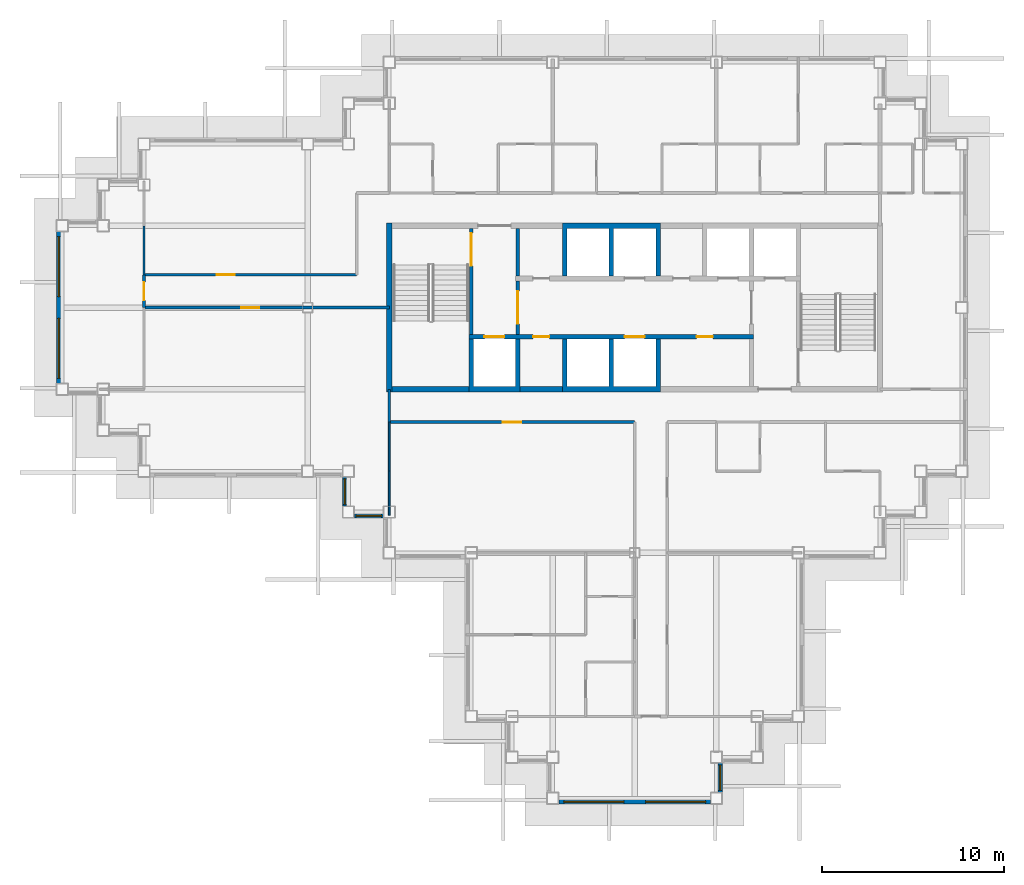
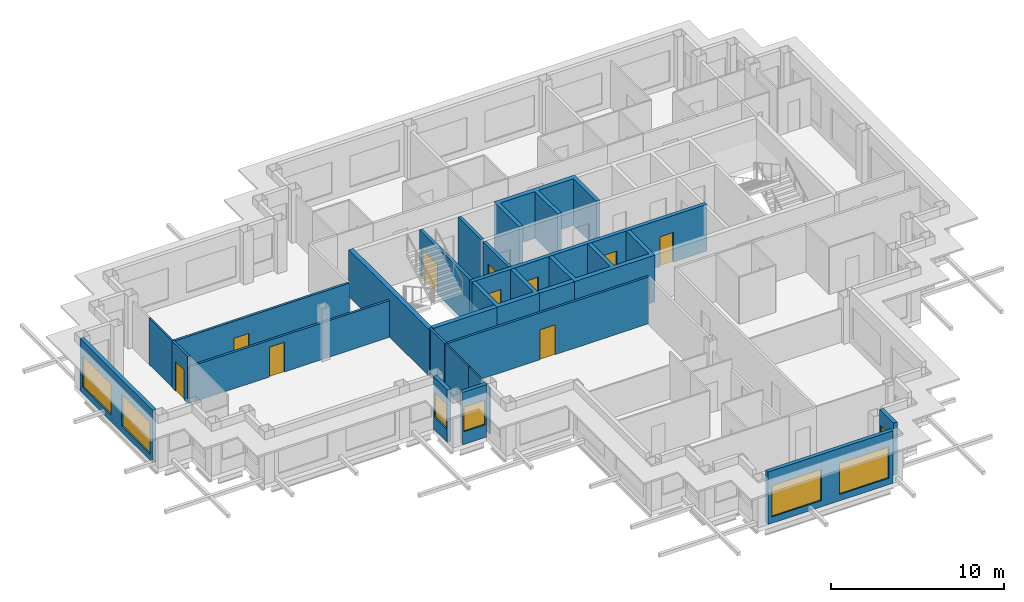
# One storey, part 3 of 11: 23 walls, 10 doors, 7 windows, 17 openings.
"""IFC4 building model written with IfcOpenShell, lengths in metres."""

from ifc_helpers import new_model, si_unit, direction, frame, frame_2d, origin, place, context, subcontext, project, spatial, polyline, rectangle, outline, extrude, material, layer, layer_set, type_object, element, fill, save


model = new_model("IFC4")

# Units and contexts
model_context = context("Model", 3, precision=1e-05, world=origin(), true_north=direction((0.0, 1.0)))
body_context = subcontext(model_context, "Body", "Model", "MODEL_VIEW")
ifc_project = project(units=[si_unit("LENGTHUNIT", "METRE"), si_unit("AREAUNIT", "SQUARE_METRE"), si_unit("VOLUMEUNIT", "CUBIC_METRE"), si_unit("PLANEANGLEUNIT", "RADIAN"), si_unit("MASSUNIT", "GRAM", prefix="KILO")], contexts=[model_context])

# Site, building, storey
site_placement = place(None, origin())
site = spatial("IfcSite", under=ifc_project, at=site_placement, CompositionType="ELEMENT")
building_placement = place(site_placement, origin())
building = spatial("IfcBuilding", under=site, at=building_placement, Name="Caravel Reach Hotel and Residences", CompositionType="ELEMENT")
storey_placement = place(building_placement, frame((0.0, 0.0, 229.39990234375)))
storey = spatial("IfcBuildingStorey", under=building, at=storey_placement, Name="L58", CompositionType="ELEMENT", Elevation=229.39990234375)

# Walls
ifc_material_1 = material(Name="Autoclaved aerated block wall")
ifc_layer_1 = layer(ifc_material_1, 0.199951171875)
ifc_layer_set_1 = layer_set([ifc_layer_1], Name="Compartment wall 200 mm EI 120")
wall_type_1 = type_object("IfcWallType", Name="Compartment wall 200 mm EI 120", PredefinedType="PARTITIONING", material=ifc_layer_set_1)
wall_1_placement = place(storey_placement, frame((25.071533203125, 28.72509765625, 0.0), z_axis=(0.0, 0.0, 1.0), x_axis=(0.0, 1.0, 0.0)))
element("IfcWall", 1, at=wall_1_placement, inside=storey, type_object=wall_type_1, Name="L58 store partition", PredefinedType="PARTITIONING", context=body_context, shape_type="SweptSolid", body=[
    extrude(rectangle(XDim=2.625, YDim=0.199951171875, at=frame_2d((1.3125, 0.0))), origin(), (0.0, 0.0, 1.0), 3.300048828125),
])
ifc_material_2 = material(Name="Concrete C60", Category="concrete")
ifc_layer_2 = layer(ifc_material_2, 0.300048828125)
ifc_layer_set_2 = layer_set([ifc_layer_2], Name="Core wall 300 mm EI 120")
wall_type_2 = type_object("IfcWallType", Name="Core wall 300 mm EI 120", PredefinedType="SHEAR", material=ifc_layer_set_2)
wall_2_placement = place(storey_placement, frame((18.14990234375, 22.5, 0.0), z_axis=(0.0, 0.0, 1.0), x_axis=(1.0, 0.0, 0.0)))
element("IfcWall", 2, at=wall_2_placement, inside=storey, type_object=wall_type_2, Name="L58 core wall S1", PredefinedType="SHEAR", context=body_context, shape_type="SweptSolid", body=[
    extrude(rectangle(XDim=4.22509765625, YDim=0.300048828125, at=frame_2d((2.112548828125, 0.0))), origin(), (0.0, 0.0, 1.0), 3.300048828125),
])
wall_3_placement = place(storey_placement, frame((25.196533203125, 22.5, 0.0), z_axis=(0.0, 0.0, 1.0), x_axis=(1.0, 0.0, 0.0)))
element("IfcWall", 3, at=wall_3_placement, inside=storey, type_object=wall_type_2, Name="L58 core wall S2", PredefinedType="SHEAR", context=body_context, shape_type="SweptSolid", body=[
    extrude(rectangle(XDim=2.3212890625, YDim=0.300048828125, at=frame_2d((1.16064453125, 0.0))), origin(), (0.0, 0.0, 1.0), 3.300048828125),
])
wall_4_placement = place(storey_placement, frame((18.0, 22.35009765625, 0.0), z_axis=(0.0, 0.0, 1.0), x_axis=(0.0, 1.0, 0.0)))
element("IfcWall", 4, at=wall_4_placement, inside=storey, type_object=wall_type_2, Name="L58 core wall W", PredefinedType="SHEAR", context=body_context, shape_type="SweptSolid", body=[
    extrude(rectangle(XDim=9.2998046875, YDim=0.300048828125, at=frame_2d((4.64990234375, 0.0))), origin(), (0.0, 0.0, 1.0), 3.300048828125),
])

# Wall, opening, door
ifc_material_3 = material(Name="Gypsum board on steel stud, fire-rated", Category="steel")
ifc_layer_3 = layer(ifc_material_3, 0.14990234375)
ifc_layer_set_3 = layer_set([ifc_layer_3], Name="Corridor wall 150 mm EI 60")
wall_type_3 = type_object("IfcWallType", Name="Corridor wall 150 mm EI 60", PredefinedType="PARTITIONING", material=ifc_layer_set_3)
wall_5_placement = place(storey_placement, frame((18.0, 20.699951171875, 0.0), z_axis=(0.0, 0.0, 1.0), x_axis=(1.0, 0.0, 0.0)))
wall_5 = element("IfcWall", 5, at=wall_5_placement, inside=storey, type_object=wall_type_3, Name="L58 wall w005", PredefinedType="PARTITIONING", context=body_context, shape_type="SweptSolid", body=[
    extrude(rectangle(XDim=13.5, YDim=0.14990234375, at=frame_2d((6.75, 0.0))), origin(), (0.0, 0.0, 1.0), 3.300048828125),
])
opening_1_placement = place(wall_5_placement, frame((6.25, 0.0, 0.0)))
opening_1 = element("IfcOpeningElement", 6, at=opening_1_placement, cuts=wall_5, Name="Opening D58-028", PredefinedType="OPENING", context=body_context, shape_type="SweptSolid", body=[
    extrude(rectangle(XDim=1.0, YDim=2.10009765625, at=frame_2d((0.5, 1.050048828125))), frame((0.0, 0.0849609375, 0.0), z_axis=(0.0, -1.0, 0.0), x_axis=(1.0, 0.0, 0.0)), (0.0, 0.0, 1.0), 0.169921875),
])
ifc_material_4 = material(Name="Steel fire door leaf", Category="steel")
door_type_1 = type_object("IfcDoorType", Name="Fire door 1000 x 2100 EI 60", OperationType="SINGLE_SWING_LEFT", PredefinedType="DOOR", material=ifc_material_4)
door_1_placement = place(opening_1_placement, origin())
door_1 = element("IfcDoor", 7, at=door_1_placement, inside=storey, type_object=door_type_1, Name="door D58-028", OperationType="SINGLE_SWING_RIGHT", OverallHeight=2.10009765625, OverallWidth=1.0, PredefinedType="DOOR", context=body_context, shape_type="SweptSolid", body=[
    extrude(rectangle(XDim=1.0, YDim=2.10009765625, at=frame_2d((0.5, 1.050048828125))), frame((0.0, 0.02490234375, 0.0), z_axis=(0.0, -1.0, 0.0), x_axis=(1.0, 0.0, 0.0)), (0.0, 0.0, 1.0), 0.050048828125),
])
fill(opening_1, door_1)

wall_6_placement = place(storey_placement, frame((4.5, 27.0, 0.0), z_axis=(0.0, 0.0, 1.0), x_axis=(1.0, 0.0, 0.0)))
wall_6 = element("IfcWall", 8, at=wall_6_placement, inside=storey, type_object=wall_type_3, Name="L58 wall w007", PredefinedType="PARTITIONING", context=body_context, shape_type="SweptSolid", body=[
    extrude(rectangle(XDim=13.5, YDim=0.14990234375, at=frame_2d((6.75, 0.0))), origin(), (0.0, 0.0, 1.0), 2.580078125),
])
opening_2_placement = place(wall_6_placement, frame((5.35009765625, 0.0, 0.0)))
opening_2 = element("IfcOpeningElement", 9, at=opening_2_placement, cuts=wall_6, Name="Opening D58-027", PredefinedType="OPENING", context=body_context, shape_type="SweptSolid", body=[
    extrude(rectangle(XDim=1.0, YDim=2.10009765625, at=frame_2d((0.5, 1.050048828125))), frame((0.0, 0.0849609375, 0.0), z_axis=(0.0, -1.0, 0.0), x_axis=(1.0, 0.0, 0.0)), (0.0, 0.0, 1.0), 0.169921875),
])
door_2_placement = place(opening_2_placement, origin())
door_2 = element("IfcDoor", 10, at=door_2_placement, inside=storey, type_object=door_type_1, Name="door D58-027", OperationType="SINGLE_SWING_LEFT", OverallHeight=2.10009765625, OverallWidth=1.0, PredefinedType="DOOR", context=body_context, shape_type="SweptSolid", body=[
    extrude(rectangle(XDim=1.0, YDim=2.10009765625, at=frame_2d((0.5, 1.050048828125))), frame((0.0, 0.02490234375, 0.0), z_axis=(0.0, -1.0, 0.0), x_axis=(1.0, 0.0, 0.0)), (0.0, 0.0, 1.0), 0.050048828125),
])
fill(opening_2, door_2)

wall_7_placement = place(storey_placement, frame((4.5, 28.800048828125, 0.0), z_axis=(0.0, 0.0, 1.0), x_axis=(1.0, 0.0, 0.0)))
wall_7 = element("IfcWall", 11, at=wall_7_placement, inside=storey, type_object=wall_type_3, Name="L58 wall w008", PredefinedType="PARTITIONING", context=body_context, shape_type="SweptSolid", body=[
    extrude(rectangle(XDim=11.698974609375, YDim=0.14990234375, at=frame_2d((5.849609375, 0.0))), origin(), (0.0, 0.0, 1.0), 3.300048828125),
])
opening_3_placement = place(wall_7_placement, frame((4.0, 0.0, 0.0)))
opening_3 = element("IfcOpeningElement", 12, at=opening_3_placement, cuts=wall_7, Name="Opening D58-026", PredefinedType="OPENING", context=body_context, shape_type="SweptSolid", body=[
    extrude(rectangle(XDim=1.0, YDim=2.10009765625, at=frame_2d((0.5, 1.050048828125))), frame((0.0, 0.0849609375, 0.0), z_axis=(0.0, -1.0, 0.0), x_axis=(1.0, 0.0, 0.0)), (0.0, 0.0, 1.0), 0.169921875),
])
door_3_placement = place(opening_3_placement, origin())
door_3 = element("IfcDoor", 13, at=door_3_placement, inside=storey, type_object=door_type_1, Name="door D58-026", OperationType="SINGLE_SWING_RIGHT", OverallHeight=2.10009765625, OverallWidth=1.0, PredefinedType="DOOR", context=body_context, shape_type="SweptSolid", body=[
    extrude(rectangle(XDim=1.0, YDim=2.10009765625, at=frame_2d((0.5, 1.050048828125))), frame((0.0, 0.02490234375, 0.0), z_axis=(0.0, -1.0, 0.0), x_axis=(1.0, 0.0, 0.0)), (0.0, 0.0, 1.0), 0.050048828125),
])
fill(opening_3, door_3)

# Wall
wall_8_placement = place(storey_placement, frame((18.0, 20.699951171875, 0.0), z_axis=(0.0, 0.0, 1.0), x_axis=(0.0, 1.0, 0.0)))
element("IfcWall", 14, at=wall_8_placement, inside=storey, type_object=wall_type_3, Name="L58 wall w019", PredefinedType="PARTITIONING", context=body_context, shape_type="SweptSolid", body=[
    extrude(rectangle(XDim=1.800048828125, YDim=0.14990234375, at=frame_2d((0.89990234375, 0.0))), origin(), (0.0, 0.0, 1.0), 3.300048828125),
])

# Wall, opening, door
wall_9_placement = place(storey_placement, frame((4.5, 27.0, 0.0), z_axis=(0.0, 0.0, 1.0), x_axis=(0.0, 1.0, 0.0)))
wall_9 = element("IfcWall", 15, at=wall_9_placement, inside=storey, type_object=wall_type_3, Name="L58 wall w025", PredefinedType="PARTITIONING", context=body_context, shape_type="SweptSolid", body=[
    extrude(rectangle(XDim=1.800048828125, YDim=0.14990234375, at=frame_2d((0.89990234375, 0.0))), origin(), (0.0, 0.0, 1.0), 3.300048828125),
])
opening_4_placement = place(wall_9_placement, frame((0.39990234375, 0.0, 0.0)))
opening_4 = element("IfcOpeningElement", 16, at=opening_4_placement, cuts=wall_9, Name="Opening D58-037", PredefinedType="OPENING", context=body_context, shape_type="SweptSolid", body=[
    extrude(rectangle(XDim=1.0, YDim=2.10009765625, at=frame_2d((0.5, 1.050048828125))), frame((0.0, 0.0849609375, 0.0), z_axis=(0.0, -1.0, 0.0), x_axis=(1.0, 0.0, 0.0)), (0.0, 0.0, 1.0), 0.169921875),
])
door_4_placement = place(opening_4_placement, origin())
door_4 = element("IfcDoor", 17, at=door_4_placement, inside=storey, type_object=door_type_1, Name="door D58-037", OperationType="SINGLE_SWING_LEFT", OverallHeight=2.10009765625, OverallWidth=1.0, PredefinedType="DOOR", context=body_context, shape_type="SweptSolid", body=[
    extrude(rectangle(XDim=1.0, YDim=2.10009765625, at=frame_2d((0.5, 1.050048828125))), frame((0.0, 0.02490234375, 0.0), z_axis=(0.0, -1.0, 0.0), x_axis=(1.0, 0.0, 0.0)), (0.0, 0.0, 1.0), 0.050048828125),
])
fill(opening_4, door_4)

# Wall, openings, windows
ifc_material_5 = material(Name="Insulated rainscreen wall, aluminium cladding", Category="aluminium")
ifc_layer_4 = layer(ifc_material_5, 0.25)
ifc_layer_set_4 = layer_set([ifc_layer_4], Name="EW1 Tower rainscreen wall")
wall_type_4 = type_object("IfcWallType", Name="EW1 Tower rainscreen wall", PredefinedType="SOLIDWALL", material=ifc_layer_set_4)
wall_10_placement = place(storey_placement, frame((-0.199951171875, 31.175048828125, 0.0), z_axis=(0.0, 0.0, 1.0), x_axis=(0.0, -1.0, 0.0)))
wall_10 = element("IfcWall", 18, at=wall_10_placement, inside=storey, type_object=wall_type_4, Name="External wall L58 W20.1", PredefinedType="SOLIDWALL", context=body_context, shape_type="SweptSolid", body=[
    extrude(rectangle(XDim=8.35009765625, YDim=0.25, at=frame_2d((4.175048828125, 0.0))), origin(), (0.0, 0.0, 1.0), 3.7001953125),
])
opening_5_placement = place(wall_10_placement, frame((0.27490234375, 0.0, 0.449951171875)))
opening_5 = element("IfcOpeningElement", 19, at=opening_5_placement, cuts=wall_10, Name="Opening WN19", PredefinedType="OPENING", context=body_context, shape_type="SweptSolid", body=[
    extrude(rectangle(XDim=3.300048828125, YDim=2.199951171875, at=frame_2d((1.64990234375, 1.10009765625))), frame((0.0, 0.135009765625, 0.0), z_axis=(0.0, -1.0, 0.0), x_axis=(1.0, 0.0, 0.0)), (0.0, 0.0, 1.0), 0.27001953125),
])
opening_6_placement = place(wall_10_placement, frame((4.77490234375, 0.0, 0.449951171875)))
opening_6 = element("IfcOpeningElement", 20, at=opening_6_placement, cuts=wall_10, Name="Opening WN19", PredefinedType="OPENING", context=body_context, shape_type="SweptSolid", body=[
    extrude(rectangle(XDim=3.300048828125, YDim=2.199951171875, at=frame_2d((1.64990234375, 1.10009765625))), frame((0.0, 0.135009765625, 0.0), z_axis=(0.0, -1.0, 0.0), x_axis=(1.0, 0.0, 0.0)), (0.0, 0.0, 1.0), 0.27001953125),
])
ifc_material_6 = material(Name="Dark low-e glazing in black aluminium frame", Category="aluminium")
window_type_1 = type_object("IfcWindowType", Name="Residence living window 3300 x 2200", PartitioningType="SINGLE_PANEL", PredefinedType="WINDOW", material=ifc_material_6)
window_1_placement = place(opening_5_placement, origin())
window_1 = element("IfcWindow", 21, at=window_1_placement, inside=storey, type_object=window_type_1, Name="Window L58 W20.1.1", OverallHeight=2.199951171875, OverallWidth=3.300048828125, PartitioningType="SINGLE_PANEL", PredefinedType="WINDOW", context=body_context, shape_type="SweptSolid", body=[
    extrude(rectangle(XDim=3.300048828125, YDim=2.199951171875, at=frame_2d((1.64990234375, 1.10009765625))), frame((0.0, 0.030029296875, 0.0), z_axis=(0.0, -1.0, 0.0), x_axis=(1.0, 0.0, 0.0)), (0.0, 0.0, 1.0), 0.06005859375),
])
fill(opening_5, window_1)
window_2_placement = place(opening_6_placement, origin())
window_2 = element("IfcWindow", 22, at=window_2_placement, inside=storey, type_object=window_type_1, Name="Window L58 W20.1.2", OverallHeight=2.199951171875, OverallWidth=3.300048828125, PartitioningType="SINGLE_PANEL", PredefinedType="WINDOW", context=body_context, shape_type="SweptSolid", body=[
    extrude(rectangle(XDim=3.300048828125, YDim=2.199951171875, at=frame_2d((1.64990234375, 1.10009765625))), frame((0.0, 0.030029296875, 0.0), z_axis=(0.0, -1.0, 0.0), x_axis=(1.0, 0.0, 0.0)), (0.0, 0.0, 1.0), 0.06005859375),
])
fill(opening_6, window_2)

# Wall, opening, window
wall_11_placement = place(storey_placement, frame((15.550048828125, 17.675048828125, 0.0), z_axis=(0.0, 0.0, 1.0), x_axis=(0.0, -1.0, 0.0)))
wall_11 = element("IfcWall", 23, at=wall_11_placement, inside=storey, type_object=wall_type_4, Name="External wall L58 W26.1", PredefinedType="SOLIDWALL", context=body_context, shape_type="SweptSolid", body=[
    extrude(rectangle(XDim=1.60009765625, YDim=0.25, at=frame_2d((0.800048828125, 0.0))), origin(), (0.0, 0.0, 1.0), 3.7001953125),
])
opening_7_placement = place(wall_11_placement, frame((0.10009765625, 0.0, 0.89990234375)))
opening_7 = element("IfcOpeningElement", 24, at=opening_7_placement, cuts=wall_11, Name="Opening WN24", PredefinedType="OPENING", context=body_context, shape_type="SweptSolid", body=[
    extrude(rectangle(XDim=1.39990234375, YDim=1.75, at=frame_2d((0.699951171875, 0.875))), frame((0.0, 0.135009765625, 0.0), z_axis=(0.0, -1.0, 0.0), x_axis=(1.0, 0.0, 0.0)), (0.0, 0.0, 1.0), 0.27001953125),
])
ifc_material_7 = material(Name="Dark low-e glazing in black aluminium frame", Category="aluminium")
window_type_2 = type_object("IfcWindowType", Name="Residence bedroom window 1400 x 1750", PartitioningType="SINGLE_PANEL", PredefinedType="WINDOW", material=ifc_material_7)
window_3_placement = place(opening_7_placement, origin())
window_3 = element("IfcWindow", 25, at=window_3_placement, inside=storey, type_object=window_type_2, Name="Window L58 W26.1.1", OverallHeight=1.75, OverallWidth=1.39990234375, PartitioningType="SINGLE_PANEL", PredefinedType="WINDOW", context=body_context, shape_type="SweptSolid", body=[
    extrude(rectangle(XDim=1.39990234375, YDim=1.75, at=frame_2d((0.699951171875, 0.875))), frame((0.0, 0.030029296875, 0.0), z_axis=(0.0, -1.0, 0.0), x_axis=(1.0, 0.0, 0.0)), (0.0, 0.0, 1.0), 0.06005859375),
])
fill(opening_7, window_3)

wall_12_placement = place(storey_placement, frame((16.074951171875, 15.550048828125, 0.0), z_axis=(0.0, 0.0, 1.0), x_axis=(1.0, 0.0, 0.0)))
wall_12 = element("IfcWall", 26, at=wall_12_placement, inside=storey, type_object=wall_type_4, Name="External wall L58 S27.1", PredefinedType="SOLIDWALL", context=body_context, shape_type="SweptSolid", body=[
    extrude(rectangle(XDim=1.60009765625, YDim=0.25, at=frame_2d((0.800048828125, 0.0))), origin(), (0.0, 0.0, 1.0), 3.7001953125),
])
opening_8_placement = place(wall_12_placement, frame((0.10009765625, 0.0, 0.89990234375)))
opening_8 = element("IfcOpeningElement", 27, at=opening_8_placement, cuts=wall_12, Name="Opening WN24", PredefinedType="OPENING", context=body_context, shape_type="SweptSolid", body=[
    extrude(rectangle(XDim=1.39990234375, YDim=1.75, at=frame_2d((0.699951171875, 0.875))), frame((0.0, 0.135009765625, 0.0), z_axis=(0.0, -1.0, 0.0), x_axis=(1.0, 0.0, 0.0)), (0.0, 0.0, 1.0), 0.27001953125),
])
window_4_placement = place(opening_8_placement, origin())
window_4 = element("IfcWindow", 28, at=window_4_placement, inside=storey, type_object=window_type_2, Name="Window L58 S27.1.1", OverallHeight=1.75, OverallWidth=1.39990234375, PartitioningType="SINGLE_PANEL", PredefinedType="WINDOW", context=body_context, shape_type="SweptSolid", body=[
    extrude(rectangle(XDim=1.39990234375, YDim=1.75, at=frame_2d((0.699951171875, 0.875))), frame((0.0, 0.030029296875, 0.0), z_axis=(0.0, -1.0, 0.0), x_axis=(1.0, 0.0, 0.0)), (0.0, 0.0, 1.0), 0.06005859375),
])
fill(opening_8, window_4)

# Wall, openings, windows
wall_13_placement = place(storey_placement, frame((27.324951171875, -0.199951171875, 0.0), z_axis=(0.0, 0.0, 1.0), x_axis=(1.0, 0.0, 0.0)))
wall_13 = element("IfcWall", 29, at=wall_13_placement, inside=storey, type_object=wall_type_4, Name="External wall L58 S35.1", PredefinedType="SOLIDWALL", context=body_context, shape_type="SweptSolid", body=[
    extrude(rectangle(XDim=8.35009765625, YDim=0.25, at=frame_2d((4.175048828125, 0.0))), origin(), (0.0, 0.0, 1.0), 3.7001953125),
])
opening_9_placement = place(wall_13_placement, frame((0.27490234375, 0.0, 0.449951171875)))
opening_9 = element("IfcOpeningElement", 30, at=opening_9_placement, cuts=wall_13, Name="Opening WN19", PredefinedType="OPENING", context=body_context, shape_type="SweptSolid", body=[
    extrude(rectangle(XDim=3.300048828125, YDim=2.199951171875, at=frame_2d((1.64990234375, 1.10009765625))), frame((0.0, 0.135009765625, 0.0), z_axis=(0.0, -1.0, 0.0), x_axis=(1.0, 0.0, 0.0)), (0.0, 0.0, 1.0), 0.27001953125),
])
opening_10_placement = place(wall_13_placement, frame((4.77490234375, 0.0, 0.449951171875)))
opening_10 = element("IfcOpeningElement", 31, at=opening_10_placement, cuts=wall_13, Name="Opening WN19", PredefinedType="OPENING", context=body_context, shape_type="SweptSolid", body=[
    extrude(rectangle(XDim=3.300048828125, YDim=2.199951171875, at=frame_2d((1.64990234375, 1.10009765625))), frame((0.0, 0.135009765625, 0.0), z_axis=(0.0, -1.0, 0.0), x_axis=(1.0, 0.0, 0.0)), (0.0, 0.0, 1.0), 0.27001953125),
])
window_5_placement = place(opening_9_placement, origin())
window_5 = element("IfcWindow", 32, at=window_5_placement, inside=storey, type_object=window_type_1, Name="Window L58 S35.1.1", OverallHeight=2.199951171875, OverallWidth=3.300048828125, PartitioningType="SINGLE_PANEL", PredefinedType="WINDOW", context=body_context, shape_type="SweptSolid", body=[
    extrude(rectangle(XDim=3.300048828125, YDim=2.199951171875, at=frame_2d((1.64990234375, 1.10009765625))), frame((0.0, 0.030029296875, 0.0), z_axis=(0.0, -1.0, 0.0), x_axis=(1.0, 0.0, 0.0)), (0.0, 0.0, 1.0), 0.06005859375),
])
fill(opening_9, window_5)
window_6_placement = place(opening_10_placement, origin())
window_6 = element("IfcWindow", 33, at=window_6_placement, inside=storey, type_object=window_type_1, Name="Window L58 S35.1.2", OverallHeight=2.199951171875, OverallWidth=3.300048828125, PartitioningType="SINGLE_PANEL", PredefinedType="WINDOW", context=body_context, shape_type="SweptSolid", body=[
    extrude(rectangle(XDim=3.300048828125, YDim=2.199951171875, at=frame_2d((1.64990234375, 1.10009765625))), frame((0.0, 0.030029296875, 0.0), z_axis=(0.0, -1.0, 0.0), x_axis=(1.0, 0.0, 0.0)), (0.0, 0.0, 1.0), 0.06005859375),
])
fill(opening_10, window_6)

# Wall, opening, window
wall_14_placement = place(storey_placement, frame((36.199951171875, 0.324951171875, 0.0), z_axis=(0.0, 0.0, 1.0), x_axis=(0.0, 1.0, 0.0)))
wall_14 = element("IfcWall", 34, at=wall_14_placement, inside=storey, type_object=wall_type_4, Name="External wall L58 E36.1", PredefinedType="SOLIDWALL", context=body_context, shape_type="SweptSolid", body=[
    extrude(rectangle(XDim=1.60009765625, YDim=0.25, at=frame_2d((0.800048828125, 0.0))), origin(), (0.0, 0.0, 1.0), 3.7001953125),
])
opening_11_placement = place(wall_14_placement, frame((0.10009765625, 0.0, 0.89990234375)))
opening_11 = element("IfcOpeningElement", 35, at=opening_11_placement, cuts=wall_14, Name="Opening WN24", PredefinedType="OPENING", context=body_context, shape_type="SweptSolid", body=[
    extrude(rectangle(XDim=1.39990234375, YDim=1.75, at=frame_2d((0.699951171875, 0.875))), frame((0.0, 0.135009765625, 0.0), z_axis=(0.0, -1.0, 0.0), x_axis=(1.0, 0.0, 0.0)), (0.0, 0.0, 1.0), 0.27001953125),
])
window_7_placement = place(opening_11_placement, origin())
window_7 = element("IfcWindow", 36, at=window_7_placement, inside=storey, type_object=window_type_2, Name="Window L58 E36.1.1", OverallHeight=1.75, OverallWidth=1.39990234375, PartitioningType="SINGLE_PANEL", PredefinedType="WINDOW", context=body_context, shape_type="SweptSolid", body=[
    extrude(rectangle(XDim=1.39990234375, YDim=1.75, at=frame_2d((0.699951171875, 0.875))), frame((0.0, 0.030029296875, 0.0), z_axis=(0.0, -1.0, 0.0), x_axis=(1.0, 0.0, 0.0)), (0.0, 0.0, 1.0), 0.06005859375),
])
fill(opening_11, window_7)

# Wall, opening, door
ifc_material_8 = material(Name="Autoclaved aerated block wall")
ifc_layer_5 = layer(ifc_material_8, 0.199951171875)
ifc_layer_set_5 = layer_set([ifc_layer_5], Name="Fire lobby wall 200 mm EI 120")
wall_type_5 = type_object("IfcWallType", Name="Fire lobby wall 200 mm EI 120", PredefinedType="PARTITIONING", material=ifc_layer_set_5)
wall_15_placement = place(storey_placement, frame((25.071533203125, 25.52490234375, 0.0), z_axis=(0.0, 0.0, 1.0), x_axis=(0.0, 1.0, 0.0)))
wall_15 = element("IfcWall", 37, at=wall_15_placement, inside=storey, type_object=wall_type_5, Name="L58 lobby W wall", PredefinedType="PARTITIONING", context=body_context, shape_type="SweptSolid", body=[
    extrude(rectangle(XDim=2.9501953125, YDim=0.199951171875, at=frame_2d((1.47509765625, 0.0))), origin(), (0.0, 0.0, 1.0), 3.300048828125),
])
opening_12_placement = place(wall_15_placement, frame((0.574951171875, 0.0, 0.0)))
opening_12 = element("IfcOpeningElement", 38, at=opening_12_placement, cuts=wall_15, Name="Opening D58-012", PredefinedType="OPENING", context=body_context, shape_type="SweptSolid", body=[
    extrude(rectangle(XDim=1.800048828125, YDim=2.10009765625, at=frame_2d((0.89990234375, 1.050048828125))), frame((0.0, 0.10986328125, 0.0), z_axis=(0.0, -1.0, 0.0), x_axis=(1.0, 0.0, 0.0)), (0.0, 0.0, 1.0), 0.219970703125),
])
ifc_material_9 = material(Name="Steel fire door leaf", Category="steel")
door_type_2 = type_object("IfcDoorType", Name="Fire lobby door pair 1800 x 2100 EI 90", OperationType="DOUBLE_DOOR_SINGLE_SWING", PredefinedType="DOOR", material=ifc_material_9)
door_5_placement = place(opening_12_placement, origin())
door_5 = element("IfcDoor", 39, at=door_5_placement, inside=storey, type_object=door_type_2, Name="lobby W door pair", OperationType="DOUBLE_DOOR_SINGLE_SWING", OverallHeight=2.10009765625, OverallWidth=1.800048828125, PredefinedType="DOOR", context=body_context, shape_type="SweptSolid", body=[
    extrude(rectangle(XDim=1.800048828125, YDim=2.10009765625, at=frame_2d((0.89990234375, 1.050048828125))), frame((0.0, 0.02490234375, 0.0), z_axis=(0.0, -1.0, 0.0), x_axis=(1.0, 0.0, 0.0)), (0.0, 0.0, 1.0), 0.050048828125),
])
fill(opening_12, door_5)

# Walls
ifc_material_10 = material(Name="Gypsum board on steel stud", Category="steel")
ifc_layer_6 = layer(ifc_material_10, 0.10009765625)
ifc_layer_set_6 = layer_set([ifc_layer_6], Name="Partition 100 mm")
wall_type_6 = type_object("IfcWallType", Name="Partition 100 mm", PredefinedType="PARTITIONING", material=ifc_layer_set_6)
wall_16_placement = place(storey_placement, frame((18.0, 15.56005859375, 0.0), z_axis=(0.0, 0.0, 1.0), x_axis=(0.0, 1.0, 0.0)))
element("IfcWall", 40, at=wall_16_placement, inside=storey, type_object=wall_type_6, Name="L58 wall w044", PredefinedType="PARTITIONING", context=body_context, shape_type="SweptSolid", body=[
    extrude(rectangle(XDim=2.43896484375, YDim=0.10009765625, at=frame_2d((1.219482421875, 0.0))), origin(), (0.0, 0.0, 1.0), 3.300048828125),
])
for number, where, z_axis, x_axis, name in (
    (41, (18.0, 18.0, 0.0), (0.0, 0.0, 1.0), (0.0, 1.0, 0.0), "L58 wall w045"),
    (42, (4.5, 28.800048828125, 0.0), (0.0, 0.0, 1.0), (0.0, 1.0, 0.0), "L58 wall w050"),
):
    element("IfcWall", number, at=place(storey_placement, frame(where, z_axis=z_axis, x_axis=x_axis)), inside=storey, type_object=wall_type_6, Name=name, PredefinedType="PARTITIONING", context=body_context, shape_type="SweptSolid", body=[
        extrude(rectangle(XDim=2.699951171875, YDim=0.10009765625, at=frame_2d((1.35009765625, 0.0))), origin(), (0.0, 0.0, 1.0), 3.300048828125),
    ])
ifc_material_11 = material(Name="Concrete C60", Category="concrete")
ifc_layer_7 = layer(ifc_material_11, 0.25)
ifc_layer_set_7 = layer_set([ifc_layer_7], Name="Shaft wall 250 mm EI 120")
wall_type_7 = type_object("IfcWallType", Name="Shaft wall 250 mm EI 120", PredefinedType="SHEAR", material=ifc_layer_set_7)
wall_17_placement = place(storey_placement, origin())
element("IfcWall", 43, at=wall_17_placement, inside=storey, type_object=wall_type_7, Name="L58 lift shaft wall S1", PredefinedType="SHEAR", context=body_context, shape_type="SweptSolid", body=[
    extrude(outline(polyline([(22.375, 22.35009765625), (25.196533203125, 22.35009765625), (25.196533203125, 25.27490234375), (24.946533203125, 25.27490234375), (24.946533203125, 22.64990234375), (22.625, 22.64990234375), (22.625, 25.27490234375), (22.375, 25.27490234375), (22.375, 22.35009765625)])), origin(), (0.0, 0.0, 1.0), 3.300048828125),
])
wall_18_placement = place(storey_placement, origin())
element("IfcWall", 44, at=wall_18_placement, inside=storey, type_object=wall_type_7, Name="L58 lift shaft wall S2", PredefinedType="SHEAR", context=body_context, shape_type="SweptSolid", body=[
    extrude(outline(polyline([(27.517822265625, 22.35009765625), (32.91064453125, 22.35009765625), (32.91064453125, 25.27490234375), (32.66064453125, 25.27490234375), (32.66064453125, 22.64990234375), (30.33935546875, 22.64990234375), (30.33935546875, 25.27490234375), (30.08935546875, 25.27490234375), (30.08935546875, 22.64990234375), (27.767822265625, 22.64990234375), (27.767822265625, 25.27490234375), (27.517822265625, 25.27490234375), (27.517822265625, 22.35009765625)])), origin(), (0.0, 0.0, 1.0), 3.300048828125),
])
wall_19_placement = place(storey_placement, origin())
element("IfcWall", 45, at=wall_19_placement, inside=storey, type_object=wall_type_7, Name="L58 lift shaft wall N1", PredefinedType="SHEAR", context=body_context, shape_type="SweptSolid", body=[
    extrude(outline(polyline([(27.517822265625, 28.72509765625), (27.767822265625, 28.72509765625), (27.767822265625, 31.35009765625), (30.08935546875, 31.35009765625), (30.08935546875, 28.72509765625), (30.33935546875, 28.72509765625), (30.33935546875, 31.35009765625), (32.66064453125, 31.35009765625), (32.66064453125, 28.72509765625), (32.91064453125, 28.72509765625), (32.91064453125, 31.64990234375), (27.517822265625, 31.64990234375), (27.517822265625, 28.72509765625)])), origin(), (0.0, 0.0, 1.0), 3.300048828125),
])

# Wall, openings, doors
wall_20_placement = place(storey_placement, frame((22.375, 25.39990234375, 0.0), z_axis=(0.0, 0.0, 1.0), x_axis=(1.0, 0.0, 0.0)))
wall_20 = element("IfcWall", 46, at=wall_20_placement, inside=storey, type_object=wall_type_7, Name="L58 lobby wall S1", PredefinedType="SHEAR", context=body_context, shape_type="SweptSolid", body=[
    extrude(rectangle(XDim=15.678466796875, YDim=0.25, at=frame_2d((7.83935546875, 0.0))), origin(), (0.0, 0.0, 1.0), 3.300048828125),
])
opening_13_placement = place(wall_20_placement, frame((8.574951171875, 0.0, 0.0)))
opening_13 = element("IfcOpeningElement", 47, at=opening_13_placement, cuts=wall_20, Name="Opening D58-001", PredefinedType="OPENING", context=body_context, shape_type="SweptSolid", body=[
    extrude(rectangle(XDim=1.10009765625, YDim=2.10009765625, at=frame_2d((0.550048828125, 1.050048828125))), frame((0.0, 0.135009765625, 0.0), z_axis=(0.0, -1.0, 0.0), x_axis=(1.0, 0.0, 0.0)), (0.0, 0.0, 1.0), 0.27001953125),
])
opening_14_placement = place(wall_20_placement, frame((0.860595703125, 0.0, 0.0)))
opening_14 = element("IfcOpeningElement", 48, at=opening_14_placement, cuts=wall_20, Name="Opening D58-004", PredefinedType="OPENING", context=body_context, shape_type="SweptSolid", body=[
    extrude(rectangle(XDim=1.10009765625, YDim=2.10009765625, at=frame_2d((0.550048828125, 1.050048828125))), frame((0.0, 0.135009765625, 0.0), z_axis=(0.0, -1.0, 0.0), x_axis=(1.0, 0.0, 0.0)), (0.0, 0.0, 1.0), 0.27001953125),
])
opening_15_placement = place(wall_20_placement, frame((3.531982421875, 0.0, 0.0)))
opening_15 = element("IfcOpeningElement", 49, at=opening_15_placement, cuts=wall_20, Name="Opening D58-006", PredefinedType="OPENING", context=body_context, shape_type="SweptSolid", body=[
    extrude(rectangle(XDim=0.89990234375, YDim=2.10009765625, at=frame_2d((0.449951171875, 1.050048828125))), frame((0.0, 0.135009765625, 0.0), z_axis=(0.0, -1.0, 0.0), x_axis=(1.0, 0.0, 0.0)), (0.0, 0.0, 1.0), 0.27001953125),
])
opening_16_placement = place(wall_20_placement, frame((12.531982421875, 0.0, 0.0)))
opening_16 = element("IfcOpeningElement", 50, at=opening_16_placement, cuts=wall_20, Name="Opening D58-007", PredefinedType="OPENING", context=body_context, shape_type="SweptSolid", body=[
    extrude(rectangle(XDim=0.89990234375, YDim=2.10009765625, at=frame_2d((0.449951171875, 1.050048828125))), frame((0.0, 0.135009765625, 0.0), z_axis=(0.0, -1.0, 0.0), x_axis=(1.0, 0.0, 0.0)), (0.0, 0.0, 1.0), 0.27001953125),
])
ifc_material_12 = material(Name="Stainless steel landing door", Category="steel")
door_type_3 = type_object("IfcDoorType", Name="Landing door LD 1100 x 2100 sliding", OperationType="DOUBLE_DOOR_SLIDING", PredefinedType="DOOR", material=ifc_material_12)
door_6_placement = place(opening_13_placement, origin())
door_6 = element("IfcDoor", 51, at=door_6_placement, inside=storey, type_object=door_type_3, Name="MP1 landing door", OperationType="DOUBLE_DOOR_SLIDING", OverallHeight=2.10009765625, OverallWidth=1.10009765625, PredefinedType="DOOR", context=body_context, shape_type="SweptSolid", body=[
    extrude(rectangle(XDim=1.10009765625, YDim=2.10009765625, at=frame_2d((0.550048828125, 1.050048828125))), frame((0.0, 0.02490234375, 0.0), z_axis=(0.0, -1.0, 0.0), x_axis=(1.0, 0.0, 0.0)), (0.0, 0.0, 1.0), 0.050048828125),
])
fill(opening_13, door_6)
door_7_placement = place(opening_14_placement, origin())
door_7 = element("IfcDoor", 52, at=door_7_placement, inside=storey, type_object=door_type_3, Name="FL1 landing door", OperationType="DOUBLE_DOOR_SLIDING", OverallHeight=2.10009765625, OverallWidth=1.10009765625, PredefinedType="DOOR", context=body_context, shape_type="SweptSolid", body=[
    extrude(rectangle(XDim=1.10009765625, YDim=2.10009765625, at=frame_2d((0.550048828125, 1.050048828125))), frame((0.0, 0.02490234375, 0.0), z_axis=(0.0, -1.0, 0.0), x_axis=(1.0, 0.0, 0.0)), (0.0, 0.0, 1.0), 0.050048828125),
])
fill(opening_14, door_7)
ifc_material_13 = material(Name="Steel fire door leaf", Category="steel")
door_type_4 = type_object("IfcDoorType", Name="Riser door 900 x 2100 EI 60", OperationType="SINGLE_SWING_LEFT", PredefinedType="DOOR", material=ifc_material_13)
door_8_placement = place(opening_15_placement, origin())
door_8 = element("IfcDoor", 53, at=door_8_placement, inside=storey, type_object=door_type_4, Name="Electrical riser room door", OperationType="SINGLE_SWING_LEFT", OverallHeight=2.10009765625, OverallWidth=0.89990234375, PredefinedType="DOOR", context=body_context, shape_type="SweptSolid", body=[
    extrude(rectangle(XDim=0.89990234375, YDim=2.10009765625, at=frame_2d((0.449951171875, 1.050048828125))), frame((0.0, 0.02490234375, 0.0), z_axis=(0.0, -1.0, 0.0), x_axis=(1.0, 0.0, 0.0)), (0.0, 0.0, 1.0), 0.050048828125),
])
fill(opening_15, door_8)
door_9_placement = place(opening_16_placement, origin())
door_9 = element("IfcDoor", 54, at=door_9_placement, inside=storey, type_object=door_type_4, Name="Comms room door", OperationType="SINGLE_SWING_LEFT", OverallHeight=2.10009765625, OverallWidth=0.89990234375, PredefinedType="DOOR", context=body_context, shape_type="SweptSolid", body=[
    extrude(rectangle(XDim=0.89990234375, YDim=2.10009765625, at=frame_2d((0.449951171875, 1.050048828125))), frame((0.0, 0.02490234375, 0.0), z_axis=(0.0, -1.0, 0.0), x_axis=(1.0, 0.0, 0.0)), (0.0, 0.0, 1.0), 0.050048828125),
])
fill(opening_16, door_9)

# Wall, opening, door
ifc_material_14 = material(Name="Concrete C60", Category="concrete")
ifc_layer_8 = layer(ifc_material_14, 0.199951171875)
ifc_layer_set_8 = layer_set([ifc_layer_8], Name="Stair enclosure wall 200 mm EI 120")
wall_type_8 = type_object("IfcWallType", Name="Stair enclosure wall 200 mm EI 120", PredefinedType="SHEAR", material=ifc_layer_set_8)
wall_21_placement = place(storey_placement, frame((22.5, 31.35009765625, 0.0), z_axis=(0.0, 0.0, 1.0), x_axis=(0.0, -1.0, 0.0)))
wall_21 = element("IfcWall", 55, at=wall_21_placement, inside=storey, type_object=wall_type_8, Name="L58 stair A wall", PredefinedType="SHEAR", context=body_context, shape_type="SweptSolid", body=[
    extrude(rectangle(XDim=5.8251953125, YDim=0.199951171875, at=frame_2d((2.91259765625, 0.0))), origin(), (0.0, 0.0, 1.0), 3.300048828125),
])
opening_17_placement = place(wall_21_placement, frame((0.25, 0.0, 0.0)))
opening_17 = element("IfcOpeningElement", 56, at=opening_17_placement, cuts=wall_21, Name="Opening D58-010", PredefinedType="OPENING", context=body_context, shape_type="SweptSolid", body=[
    extrude(rectangle(XDim=1.800048828125, YDim=2.10009765625, at=frame_2d((0.89990234375, 1.050048828125))), frame((0.0, 0.10986328125, 0.0), z_axis=(0.0, -1.0, 0.0), x_axis=(1.0, 0.0, 0.0)), (0.0, 0.0, 1.0), 0.219970703125),
])
ifc_material_15 = material(Name="Steel fire door leaf", Category="steel")
door_type_5 = type_object("IfcDoorType", Name="Stair door pair 1800 x 2100 EI 90", OperationType="DOUBLE_DOOR_SINGLE_SWING", PredefinedType="DOOR", material=ifc_material_15)
door_10_placement = place(opening_17_placement, origin())
door_10 = element("IfcDoor", 57, at=door_10_placement, inside=storey, type_object=door_type_5, Name="stair A door pair", OperationType="DOUBLE_DOOR_SINGLE_SWING", OverallHeight=2.10009765625, OverallWidth=1.800048828125, PredefinedType="DOOR", context=body_context, shape_type="SweptSolid", body=[
    extrude(rectangle(XDim=1.800048828125, YDim=2.10009765625, at=frame_2d((0.89990234375, 1.050048828125))), frame((0.0, 0.02490234375, 0.0), z_axis=(0.0, -1.0, 0.0), x_axis=(1.0, 0.0, 0.0)), (0.0, 0.0, 1.0), 0.050048828125),
])
fill(opening_17, door_10)

save(model, "model.ifc")
